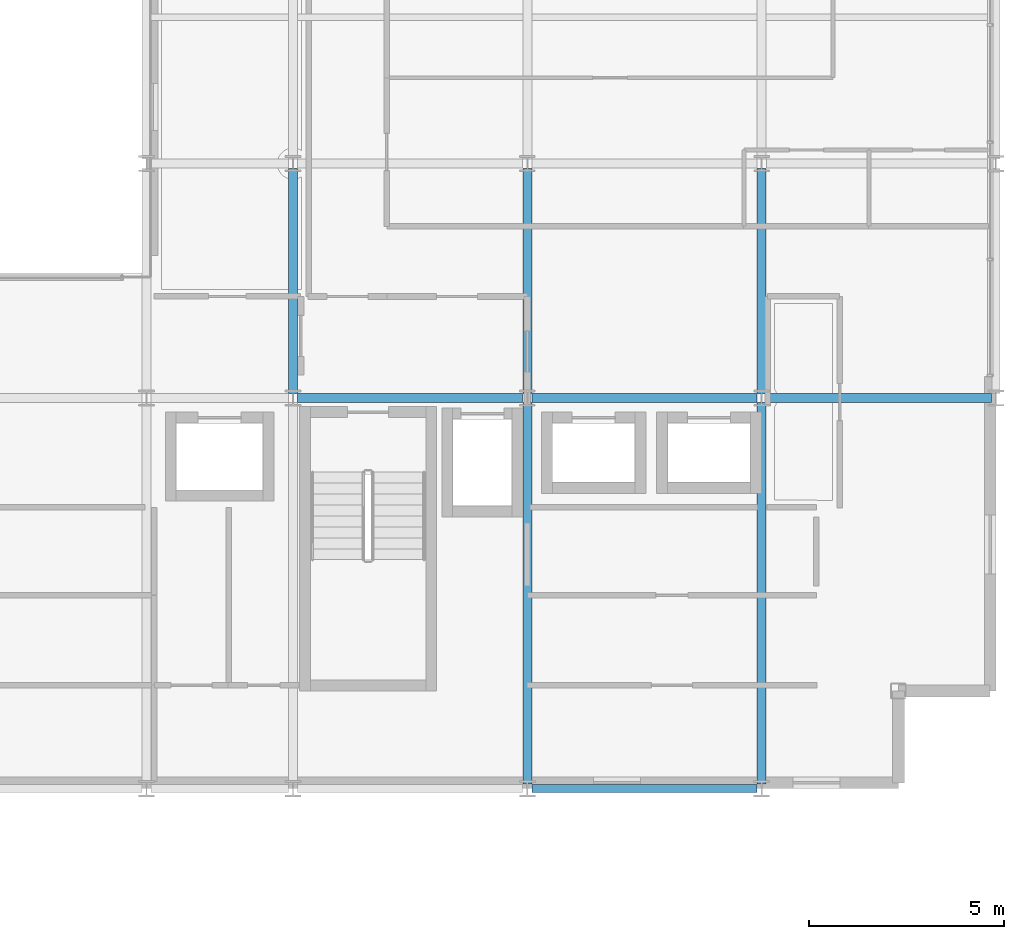
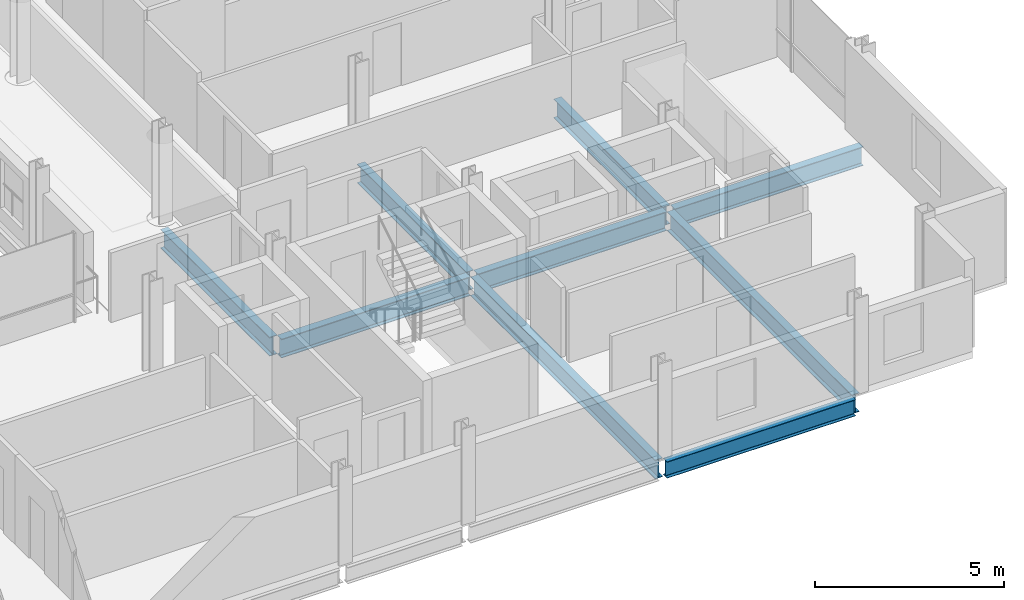
# One storey, part 16 of 41: 9 beams.
"""IFC4 building model written with IfcOpenShell, lengths in metres."""

from ifc_helpers import new_model, si_unit, direction, frame, origin, origin_2d, place, context, subcontext, project, spatial, i_section, extrude, material, material_profile, profile_set, type_object, element, save


model = new_model("IFC4")

# Units and contexts
model_context = context("Model", 3, precision=1e-05, world=origin(), true_north=direction((0.0, 1.0)))
body_context = subcontext(model_context, "Body", "Model", "MODEL_VIEW")
ifc_project = project(units=[si_unit("LENGTHUNIT", "METRE"), si_unit("AREAUNIT", "SQUARE_METRE"), si_unit("VOLUMEUNIT", "CUBIC_METRE"), si_unit("PLANEANGLEUNIT", "RADIAN"), si_unit("MASSUNIT", "GRAM", prefix="KILO")], contexts=[model_context])

# Site, building, storey
site_placement = place(None, origin())
site = spatial("IfcSite", under=ifc_project, at=site_placement, CompositionType="ELEMENT")
building_placement = place(site_placement, origin())
building = spatial("IfcBuilding", under=site, at=building_placement, Name="Brevholm Reach", CompositionType="ELEMENT")
storey_placement = place(building_placement, frame((0.0, 0.0, 151.10009765625)))
storey = spatial("IfcBuildingStorey", under=building, at=storey_placement, Name="L45", CompositionType="ELEMENT", Elevation=151.10009765625)

# Beams
ifc_material_1 = material(Name="Structural Steel S355J2", Category="steel")
ifc_material_profile_1 = material_profile(ifc_material_1, i_section(OverallWidth=0.209228515625, OverallDepth=0.533203125, WebThickness=0.010009765625, FlangeThickness=0.015625, FilletRadius=0.0126953125, at=origin_2d()), Name="UKB 533x210x92")
ifc_profile_set_1 = profile_set([ifc_material_profile_1], Name="Structural Steel S355J2")
beam_type_1 = type_object("IfcBeamType", Name="BM-SP533", PredefinedType="SPANDREL", material=ifc_profile_set_1)
beam_1_placement = place(storey_placement, frame((48.1201171875, 0.0, -0.486572265625), z_axis=(1.0, 0.0, 0.0), x_axis=(0.0, 1.0, 0.0)))
element("IfcBeam", 1, at=beam_1_placement, inside=storey, type_object=beam_type_1, Name="L45 SP-02 Framing Beam", PredefinedType="SPANDREL", context=body_context, shape_type="SweptSolid", body=[
    extrude(i_section(OverallWidth=0.209228515625, OverallDepth=0.533203125, WebThickness=0.010009765625, FlangeThickness=0.015625, FilletRadius=0.0126953125, at=origin_2d()), origin(), (0.0, 0.0, 1.0), 5.759765625),
])
ifc_material_2 = material(Name="Structural Steel S355J2", Category="steel")
ifc_material_profile_2 = material_profile(ifc_material_2, i_section(OverallWidth=0.22900390625, OverallDepth=0.6123046875, WebThickness=0.011962890625, FlangeThickness=0.01953125, FilletRadius=0.0126953125, at=origin_2d()), Name="UKB 610x229x125")
ifc_profile_set_2 = profile_set([ifc_material_profile_2], Name="Structural Steel S355J2")
beam_type_2 = type_object("IfcBeamType", Name="BM-SP610", PredefinedType="SPANDREL", material=ifc_profile_set_2)
for number, where, z_axis, x_axis, name in (
    (2, (42.1201171875, 10.0, -0.526123046875), (1.0, 0.0, 0.0), (0.0, 1.0, 0.0), "L45 SP-01 Framing Beam"),
    (3, (48.1201171875, 10.0, -0.526123046875), (1.0, 0.0, 0.0), (0.0, 1.0, 0.0), "L45 SP-01 Framing Beam"),
    (4, (54.1201171875, 10.0, -0.526123046875), (1.0, 0.0, 0.0), (0.0, 1.0, 0.0), "L45 SP-01 Framing Beam"),
    (5, (42.0, 10.1201171875, -0.526123046875), (0.0, 1.0, 0.0), (-1.0, 0.0, 0.0), "L45 SP-01 Framing Beam"),
):
    element("IfcBeam", number, at=place(storey_placement, frame(where, z_axis=z_axis, x_axis=x_axis)), inside=storey, type_object=beam_type_2, Name=name, PredefinedType="SPANDREL", context=body_context, shape_type="SweptSolid", body=[
        extrude(i_section(OverallWidth=0.22900390625, OverallDepth=0.6123046875, WebThickness=0.011962890625, FlangeThickness=0.01953125, FilletRadius=0.0126953125, at=origin_2d()), origin(), (0.0, 0.0, 1.0), 5.759765625),
    ])
beam_2_placement = place(storey_placement, frame((48.0, 0.1201171875, -0.526123046875), z_axis=(0.0, 1.0, 0.0), x_axis=(-1.0, 0.0, 0.0)))
element("IfcBeam", 6, at=beam_2_placement, inside=storey, type_object=beam_type_2, Name="L45 SP-01 Framing Beam", PredefinedType="SPANDREL", context=body_context, shape_type="SweptSolid", body=[
    extrude(i_section(OverallWidth=0.22900390625, OverallDepth=0.6123046875, WebThickness=0.011962890625, FlangeThickness=0.01953125, FilletRadius=0.0126953125, at=origin_2d()), origin(), (0.0, 0.0, 1.0), 9.759765625),
])
beam_3_placement = place(storey_placement, frame((48.0, 10.1201171875, -0.526123046875), z_axis=(0.0, 1.0, 0.0), x_axis=(-1.0, 0.0, 0.0)))
element("IfcBeam", 7, at=beam_3_placement, inside=storey, type_object=beam_type_2, Name="L45 SP-01 Framing Beam", PredefinedType="SPANDREL", context=body_context, shape_type="SweptSolid", body=[
    extrude(i_section(OverallWidth=0.22900390625, OverallDepth=0.6123046875, WebThickness=0.011962890625, FlangeThickness=0.01953125, FilletRadius=0.0126953125, at=origin_2d()), origin(), (0.0, 0.0, 1.0), 5.759765625),
])
beam_4_placement = place(storey_placement, frame((54.0, 0.1201171875, -0.526123046875), z_axis=(0.0, 1.0, 0.0), x_axis=(-1.0, 0.0, 0.0)))
element("IfcBeam", 8, at=beam_4_placement, inside=storey, type_object=beam_type_2, Name="L45 SP-01 Framing Beam", PredefinedType="SPANDREL", context=body_context, shape_type="SweptSolid", body=[
    extrude(i_section(OverallWidth=0.22900390625, OverallDepth=0.6123046875, WebThickness=0.011962890625, FlangeThickness=0.01953125, FilletRadius=0.0126953125, at=origin_2d()), origin(), (0.0, 0.0, 1.0), 9.759765625),
])
beam_5_placement = place(storey_placement, frame((54.0, 10.1201171875, -0.526123046875), z_axis=(0.0, 1.0, 0.0), x_axis=(-1.0, 0.0, 0.0)))
element("IfcBeam", 9, at=beam_5_placement, inside=storey, type_object=beam_type_2, Name="L45 SP-01 Framing Beam", PredefinedType="SPANDREL", context=body_context, shape_type="SweptSolid", body=[
    extrude(i_section(OverallWidth=0.22900390625, OverallDepth=0.6123046875, WebThickness=0.011962890625, FlangeThickness=0.01953125, FilletRadius=0.0126953125, at=origin_2d()), origin(), (0.0, 0.0, 1.0), 5.759765625),
])

save(model, "model.ifc")
